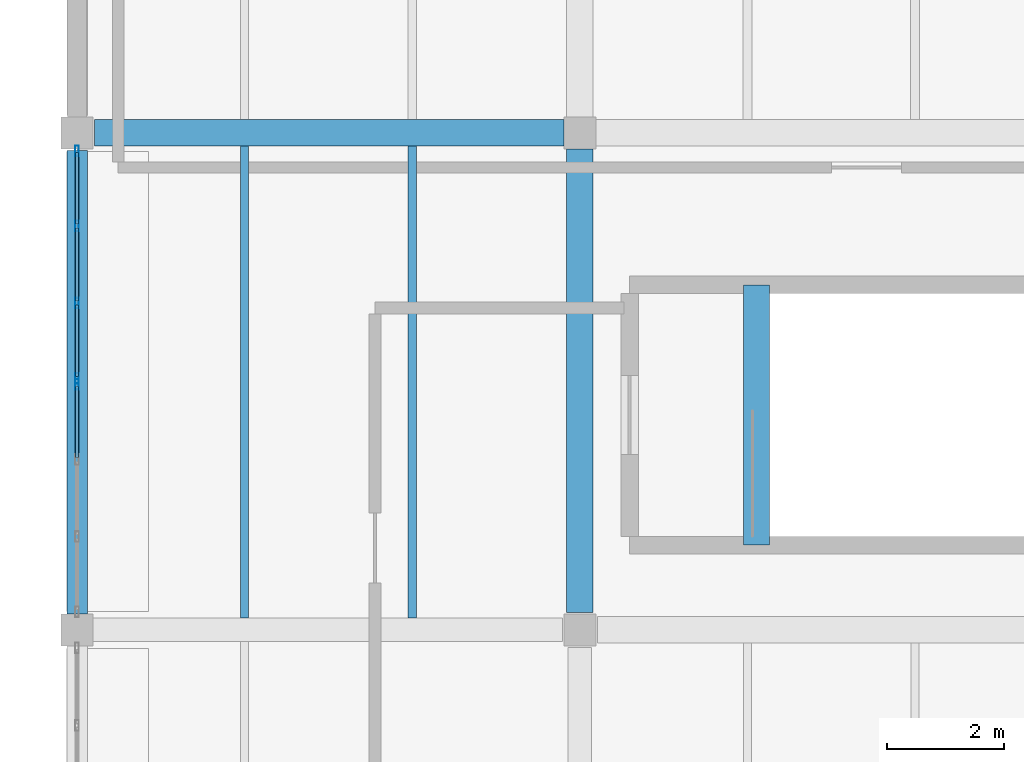
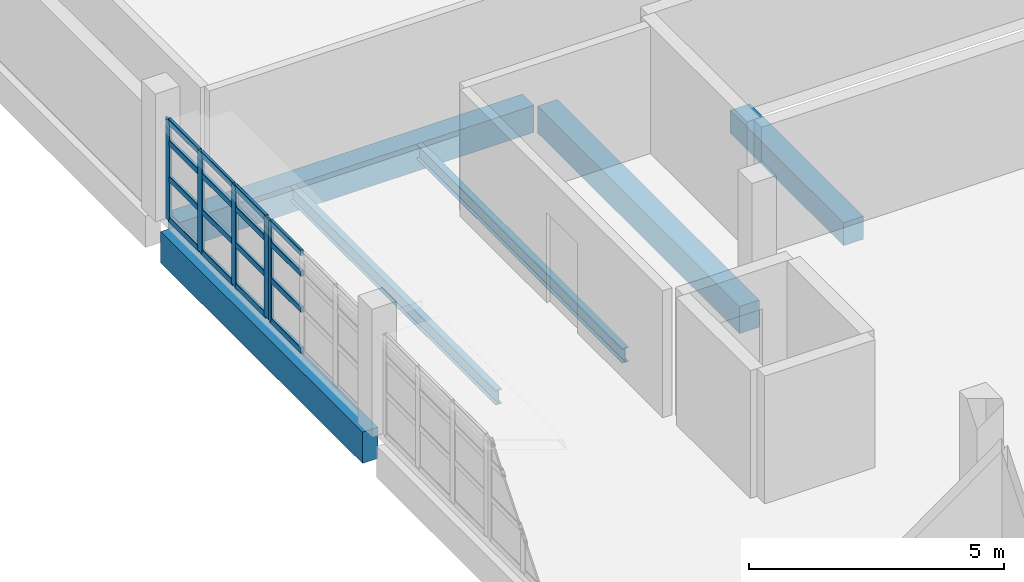
# One storey, part 12 of 34: 21 members, 6 beams, 2 elements without a shape of their own.
"""IFC4 building model written with IfcOpenShell, lengths in metres."""

from ifc_helpers import new_model, si_unit, direction, frame, origin, origin_2d, place, context, subcontext, project, spatial, rectangle, hollow_rectangle, i_section, extrude, material, material_profile, profile_set, type_object, element, aggregate, save


model = new_model("IFC4")

# Units and contexts
model_context = context("Model", 3, precision=1e-05, world=origin(), true_north=direction((0.0, 1.0)))
body_context = subcontext(model_context, "Body", "Model", "MODEL_VIEW")
ifc_project = project(units=[si_unit("LENGTHUNIT", "METRE"), si_unit("AREAUNIT", "SQUARE_METRE"), si_unit("VOLUMEUNIT", "CUBIC_METRE"), si_unit("PLANEANGLEUNIT", "RADIAN"), si_unit("MASSUNIT", "GRAM", prefix="KILO")], contexts=[model_context])

# Site, building, storey
site_placement = place(None, origin())
site = spatial("IfcSite", under=ifc_project, at=site_placement, CompositionType="ELEMENT")
building_placement = place(site_placement, origin())
building = spatial("IfcBuilding", under=site, at=building_placement, Name="Varnakota Cinema and Media Centre", CompositionType="ELEMENT")
storey_placement = place(building_placement, frame((0.0, 0.0, 19.050048828125)))
storey = spatial("IfcBuildingStorey", under=building, at=storey_placement, Name="L05", CompositionType="ELEMENT", Elevation=19.050048828125)

# Beams
ifc_material_1 = material(Name="Concrete M40", Category="concrete")
ifc_material_profile_1 = material_profile(ifc_material_1, rectangle(XDim=0.449951171875, YDim=0.550048828125, at=origin_2d()), Name="RCB 450x550")
ifc_profile_set_1 = profile_set([ifc_material_profile_1], Name="Concrete M40")
beam_type_1 = type_object("IfcBeamType", Name="BM-RC-450x550", PredefinedType="BEAM", material=ifc_profile_set_1)
beam_1_placement = place(storey_placement, frame((11.6201171875, 45.449951171875, -0.275146484375), z_axis=(0.0, 1.0, 0.0), x_axis=(-1.0, 0.0, 0.0)))
element("IfcBeam", 1, at=beam_1_placement, inside=storey, type_object=beam_type_1, Name="L05 ST-03 stair arrival trimmer beam", PredefinedType="BEAM", context=body_context, shape_type="SweptSolid", body=[
    extrude(rectangle(XDim=0.449951171875, YDim=0.550048828125, at=origin_2d()), origin(), (0.0, 0.0, 1.0), 4.449951171875),
])
ifc_material_2 = material(Name="Concrete M35", Category="concrete")
ifc_material_profile_2 = material_profile(ifc_material_2, rectangle(XDim=0.449951171875, YDim=0.64990234375, at=origin_2d()), Name="RCB 450x650")
ifc_profile_set_2 = profile_set([ifc_material_profile_2], Name="Concrete M35")
beam_type_2 = type_object("IfcBeamType", Name="BM-RC-450x650", PredefinedType="BEAM", material=ifc_profile_set_2)
beam_2_placement = place(storey_placement, frame((0.300048828125, 52.5, -0.574951171875), z_axis=(1.0, 0.0, 0.0), x_axis=(0.0, 1.0, 0.0)))
element("IfcBeam", 2, at=beam_2_placement, inside=storey, type_object=beam_type_2, Name="L05 girder A-B/7", PredefinedType="BEAM", context=body_context, shape_type="SweptSolid", body=[
    extrude(rectangle(XDim=0.449951171875, YDim=0.64990234375, at=origin_2d()), origin(), (0.0, 0.0, 1.0), 8.02490234375),
])
beam_3_placement = place(storey_placement, frame((8.60009765625, 44.300048828125, -0.574951171875), z_axis=(0.0, 1.0, 0.0), x_axis=(-1.0, 0.0, 0.0)))
element("IfcBeam", 3, at=beam_3_placement, inside=storey, type_object=beam_type_2, Name="L05 girder B/6-7", PredefinedType="BEAM", context=body_context, shape_type="SweptSolid", body=[
    extrude(rectangle(XDim=0.449951171875, YDim=0.64990234375, at=origin_2d()), origin(), (0.0, 0.0, 1.0), 7.925048828125),
])
ifc_material_3 = material(Name="Concrete M40", Category="concrete")
ifc_material_profile_3 = material_profile(ifc_material_3, rectangle(XDim=0.35009765625, YDim=0.75, at=origin_2d()), Name="RCB 350x750")
ifc_profile_set_3 = profile_set([ifc_material_profile_3], Name="Concrete M40")
beam_type_3 = type_object("IfcBeamType", Name="BM-SP-350x750", PredefinedType="SPANDREL", material=ifc_profile_set_3)
beam_4_placement = place(storey_placement, frame((0.0, 44.27490234375, -0.625), z_axis=(0.0, 1.0, 0.0), x_axis=(-1.0, 0.0, 0.0)))
element("IfcBeam", 4, at=beam_4_placement, inside=storey, type_object=beam_type_3, Name="L05 girder A/6-7", PredefinedType="SPANDREL", context=body_context, shape_type="SweptSolid", body=[
    extrude(rectangle(XDim=0.35009765625, YDim=0.75, at=origin_2d()), origin(), (0.0, 0.0, 1.0), 7.925048828125),
])
ifc_material_4 = material(Name="Structural steel Grade 350 (E350)", Category="steel")
ifc_material_profile_4 = material_profile(ifc_material_4, i_section(OverallWidth=0.139892578125, OverallDepth=0.35009765625, WebThickness=0.008056640625, FlangeThickness=0.01416015625, FilletRadius=0.013916015625, at=origin_2d()), Name="ISMB 350")
ifc_profile_set_4 = profile_set([ifc_material_profile_4], Name="Structural steel Grade 350 (E350)")
beam_type_4 = type_object("IfcBeamType", Name="BM-ST-ISMB350", PredefinedType="JOIST", material=ifc_profile_set_4)
for number, where, z_axis, x_axis, name in (
    (5, (2.86669921875, 44.199951171875, -0.425048828125), (0.0, 1.0, 0.0), (-1.0, 0.0, 0.0), "L05 steel joist A-B/6-7 #1"),
    (6, (5.7333984375, 44.199951171875, -0.425048828125), (0.0, 1.0, 0.0), (-1.0, 0.0, 0.0), "L05 steel joist A-B/6-7 #2"),
):
    element("IfcBeam", number, at=place(storey_placement, frame(where, z_axis=z_axis, x_axis=x_axis)), inside=storey, type_object=beam_type_4, Name=name, PredefinedType="JOIST", context=body_context, shape_type="SweptSolid", body=[
        extrude(i_section(OverallWidth=0.139892578125, OverallDepth=0.35009765625, WebThickness=0.008056640625, FlangeThickness=0.01416015625, FilletRadius=0.013916015625, at=origin_2d()), origin(), (0.0, 0.0, 1.0), 8.074951171875),
    ])

# Curtain wall, members
ifc_material_5 = material(Name="Thermally broken anodised aluminium AW-6063", Category="aluminium")
curtain_wall_type = type_object("IfcCurtainWallType", Name="CW-STD-396x240", PredefinedType="USERDEFINED", material=ifc_material_5)
curtain_wall_1_placement = place(storey_placement, origin())
curtain_wall_1 = element("IfcCurtainWall", 7, at=curtain_wall_1_placement, inside=storey, type_object=curtain_wall_type, Name="L05 curtain wall CW-L05-V5-W-02-1", ObjectType="UNITISED CURTAIN WALL", PredefinedType="USERDEFINED")
ifc_material_6 = material(Name="Thermally broken anodised aluminium AW-6063", Category="aluminium")
ifc_material_profile_5 = material_profile(ifc_material_6, hollow_rectangle(XDim=0.06494140625, YDim=0.179931640625, WallThickness=0.00390625, InnerFilletRadius=0.00390625, OuterFilletRadius=0.008056640625, at=origin_2d()), Name="AL-MULLION 180x65x4")
ifc_profile_set_5 = profile_set([ifc_material_profile_5], Name="Thermally broken anodised aluminium AW-6063")
member_type_1 = type_object("IfcMemberType", Name="CWM-AL-180", PredefinedType="MULLION", material=ifc_profile_set_5)
member_1_placement = place(storey_placement, frame((0.0, 52.1923828125, 0.0), z_axis=(0.0, 0.0, 1.0), x_axis=(1.0, 0.0, 0.0)))
member_1 = element("IfcMember", 8, at=member_1_placement, type_object=member_type_1, Name="CW56 mullion 1", PredefinedType="MULLION", context=body_context, shape_type="SweptSolid", body=[
    extrude(hollow_rectangle(XDim=0.06494140625, YDim=0.179931640625, WallThickness=0.00390625, InnerFilletRadius=0.00390625, OuterFilletRadius=0.008056640625, at=origin_2d()), origin(), (0.0, 0.0, 1.0), 2.39501953125),
])
member_2_placement = place(storey_placement, frame((0.0, 50.90673828125, 0.0), z_axis=(0.0, 0.0, 1.0), x_axis=(1.0, 0.0, 0.0)))
member_2 = element("IfcMember", 9, at=member_2_placement, type_object=member_type_1, Name="CW56 mullion 2", PredefinedType="MULLION", context=body_context, shape_type="SweptSolid", body=[
    extrude(hollow_rectangle(XDim=0.06494140625, YDim=0.179931640625, WallThickness=0.00390625, InnerFilletRadius=0.00390625, OuterFilletRadius=0.008056640625, at=origin_2d()), origin(), (0.0, 0.0, 1.0), 2.39501953125),
])
member_3_placement = place(storey_placement, frame((0.0, 49.58837890625, 0.0), z_axis=(0.0, 0.0, 1.0), x_axis=(1.0, 0.0, 0.0)))
member_3 = element("IfcMember", 10, at=member_3_placement, type_object=member_type_1, Name="CW56 mullion 3", PredefinedType="MULLION", context=body_context, shape_type="SweptSolid", body=[
    extrude(hollow_rectangle(XDim=0.06494140625, YDim=0.179931640625, WallThickness=0.00390625, InnerFilletRadius=0.00390625, OuterFilletRadius=0.008056640625, at=origin_2d()), origin(), (0.0, 0.0, 1.0), 2.39501953125),
])
member_4_placement = place(storey_placement, frame((0.0, 48.302490234375, 0.0), z_axis=(0.0, 0.0, 1.0), x_axis=(1.0, 0.0, 0.0)))
member_4 = element("IfcMember", 11, at=member_4_placement, type_object=member_type_1, Name="CW56 mullion 4", PredefinedType="MULLION", context=body_context, shape_type="SweptSolid", body=[
    extrude(hollow_rectangle(XDim=0.06494140625, YDim=0.179931640625, WallThickness=0.00390625, InnerFilletRadius=0.00390625, OuterFilletRadius=0.008056640625, at=origin_2d()), origin(), (0.0, 0.0, 1.0), 2.39501953125),
])

# Curtain wall, member
curtain_wall_2_placement = place(storey_placement, origin())
curtain_wall_2 = element("IfcCurtainWall", 12, at=curtain_wall_2_placement, inside=storey, type_object=curtain_wall_type, Name="L05 curtain wall CW-L05-V5-W-02-2", ObjectType="UNITISED CURTAIN WALL", PredefinedType="USERDEFINED")
member_5_placement = place(storey_placement, frame((0.0, 48.197509765625, 0.0), z_axis=(0.0, 0.0, 1.0), x_axis=(1.0, 0.0, 0.0)))
member_5 = element("IfcMember", 13, at=member_5_placement, type_object=member_type_1, Name="CW56 mullion 1", PredefinedType="MULLION", context=body_context, shape_type="SweptSolid", body=[
    extrude(hollow_rectangle(XDim=0.06494140625, YDim=0.179931640625, WallThickness=0.00390625, InnerFilletRadius=0.00390625, OuterFilletRadius=0.008056640625, at=origin_2d()), origin(), (0.0, 0.0, 1.0), 2.39501953125),
])

# Member
ifc_material_7 = material(Name="Thermally broken anodised aluminium AW-6063", Category="aluminium")
ifc_material_profile_6 = material_profile(ifc_material_7, hollow_rectangle(XDim=0.06494140625, YDim=0.139892578125, WallThickness=0.00390625, InnerFilletRadius=0.00390625, OuterFilletRadius=0.008056640625, at=origin_2d()), Name="AL-TRANSOM 140x65x4")
ifc_profile_set_6 = profile_set([ifc_material_profile_6], Name="Thermally broken anodised aluminium AW-6063")
member_type_2 = type_object("IfcMemberType", Name="CWT-AL-140", PredefinedType="USERDEFINED", material=ifc_profile_set_6)
member_6_placement = place(storey_placement, frame((0.0, 52.159912109375, 0.032470703125), z_axis=(0.0, -1.0, 0.0), x_axis=(1.0, 0.0, 0.0)))
member_6 = element("IfcMember", 14, at=member_6_placement, type_object=member_type_2, Name="CW56 transom 1.1", ObjectType="TRANSOM", PredefinedType="USERDEFINED", context=body_context, shape_type="SweptSolid", body=[
    extrude(hollow_rectangle(XDim=0.06494140625, YDim=0.139892578125, WallThickness=0.00390625, InnerFilletRadius=0.00390625, OuterFilletRadius=0.008056640625, at=origin_2d()), origin(), (0.0, 0.0, 1.0), 1.220703125),
])

member_7_placement = place(storey_placement, frame((0.0, 52.159912109375, 1.005859375), z_axis=(0.0, -1.0, 0.0), x_axis=(1.0, 0.0, 0.0)))
member_7 = element("IfcMember", 15, at=member_7_placement, type_object=member_type_2, Name="CW56 transom 1.2", ObjectType="TRANSOM", PredefinedType="USERDEFINED", context=body_context, shape_type="SweptSolid", body=[
    extrude(hollow_rectangle(XDim=0.06494140625, YDim=0.139892578125, WallThickness=0.00390625, InnerFilletRadius=0.00390625, OuterFilletRadius=0.008056640625, at=origin_2d()), origin(), (0.0, 0.0, 1.0), 1.220703125),
])

member_8_placement = place(storey_placement, frame((0.0, 52.159912109375, 1.8681640625), z_axis=(0.0, -1.0, 0.0), x_axis=(1.0, 0.0, 0.0)))
member_8 = element("IfcMember", 16, at=member_8_placement, type_object=member_type_2, Name="CW56 transom 1.3", ObjectType="TRANSOM", PredefinedType="USERDEFINED", context=body_context, shape_type="SweptSolid", body=[
    extrude(hollow_rectangle(XDim=0.06494140625, YDim=0.139892578125, WallThickness=0.00390625, InnerFilletRadius=0.00390625, OuterFilletRadius=0.008056640625, at=origin_2d()), origin(), (0.0, 0.0, 1.0), 1.220703125),
])

member_9_placement = place(storey_placement, frame((0.0, 52.159912109375, 2.362548828125), z_axis=(0.0, -1.0, 0.0), x_axis=(1.0, 0.0, 0.0)))
member_9 = element("IfcMember", 17, at=member_9_placement, type_object=member_type_2, Name="CW56 transom 1.4", ObjectType="TRANSOM", PredefinedType="USERDEFINED", context=body_context, shape_type="SweptSolid", body=[
    extrude(hollow_rectangle(XDim=0.06494140625, YDim=0.139892578125, WallThickness=0.00390625, InnerFilletRadius=0.00390625, OuterFilletRadius=0.008056640625, at=origin_2d()), origin(), (0.0, 0.0, 1.0), 1.220703125),
])

member_10_placement = place(storey_placement, frame((0.0, 50.874267578125, 0.032470703125), z_axis=(0.0, -1.0, 0.0), x_axis=(1.0, 0.0, 0.0)))
member_10 = element("IfcMember", 18, at=member_10_placement, type_object=member_type_2, Name="CW56 transom 2.1", ObjectType="TRANSOM", PredefinedType="USERDEFINED", context=body_context, shape_type="SweptSolid", body=[
    extrude(hollow_rectangle(XDim=0.06494140625, YDim=0.139892578125, WallThickness=0.00390625, InnerFilletRadius=0.00390625, OuterFilletRadius=0.008056640625, at=origin_2d()), origin(), (0.0, 0.0, 1.0), 1.25341796875),
])

member_11_placement = place(storey_placement, frame((0.0, 50.874267578125, 1.005859375), z_axis=(0.0, -1.0, 0.0), x_axis=(1.0, 0.0, 0.0)))
member_11 = element("IfcMember", 19, at=member_11_placement, type_object=member_type_2, Name="CW56 transom 2.2", ObjectType="TRANSOM", PredefinedType="USERDEFINED", context=body_context, shape_type="SweptSolid", body=[
    extrude(hollow_rectangle(XDim=0.06494140625, YDim=0.139892578125, WallThickness=0.00390625, InnerFilletRadius=0.00390625, OuterFilletRadius=0.008056640625, at=origin_2d()), origin(), (0.0, 0.0, 1.0), 1.25341796875),
])

member_12_placement = place(storey_placement, frame((0.0, 50.874267578125, 1.8681640625), z_axis=(0.0, -1.0, 0.0), x_axis=(1.0, 0.0, 0.0)))
member_12 = element("IfcMember", 20, at=member_12_placement, type_object=member_type_2, Name="CW56 transom 2.3", ObjectType="TRANSOM", PredefinedType="USERDEFINED", context=body_context, shape_type="SweptSolid", body=[
    extrude(hollow_rectangle(XDim=0.06494140625, YDim=0.139892578125, WallThickness=0.00390625, InnerFilletRadius=0.00390625, OuterFilletRadius=0.008056640625, at=origin_2d()), origin(), (0.0, 0.0, 1.0), 1.25341796875),
])

member_13_placement = place(storey_placement, frame((0.0, 50.874267578125, 2.362548828125), z_axis=(0.0, -1.0, 0.0), x_axis=(1.0, 0.0, 0.0)))
member_13 = element("IfcMember", 21, at=member_13_placement, type_object=member_type_2, Name="CW56 transom 2.4", ObjectType="TRANSOM", PredefinedType="USERDEFINED", context=body_context, shape_type="SweptSolid", body=[
    extrude(hollow_rectangle(XDim=0.06494140625, YDim=0.139892578125, WallThickness=0.00390625, InnerFilletRadius=0.00390625, OuterFilletRadius=0.008056640625, at=origin_2d()), origin(), (0.0, 0.0, 1.0), 1.25341796875),
])

member_14_placement = place(storey_placement, frame((0.0, 49.555908203125, 0.032470703125), z_axis=(0.0, -1.0, 0.0), x_axis=(1.0, 0.0, 0.0)))
member_14 = element("IfcMember", 22, at=member_14_placement, type_object=member_type_2, Name="CW56 transom 3.1", ObjectType="TRANSOM", PredefinedType="USERDEFINED", context=body_context, shape_type="SweptSolid", body=[
    extrude(hollow_rectangle(XDim=0.06494140625, YDim=0.139892578125, WallThickness=0.00390625, InnerFilletRadius=0.00390625, OuterFilletRadius=0.008056640625, at=origin_2d()), origin(), (0.0, 0.0, 1.0), 1.220947265625),
])

member_15_placement = place(storey_placement, frame((0.0, 49.555908203125, 1.005859375), z_axis=(0.0, -1.0, 0.0), x_axis=(1.0, 0.0, 0.0)))
member_15 = element("IfcMember", 23, at=member_15_placement, type_object=member_type_2, Name="CW56 transom 3.2", ObjectType="TRANSOM", PredefinedType="USERDEFINED", context=body_context, shape_type="SweptSolid", body=[
    extrude(hollow_rectangle(XDim=0.06494140625, YDim=0.139892578125, WallThickness=0.00390625, InnerFilletRadius=0.00390625, OuterFilletRadius=0.008056640625, at=origin_2d()), origin(), (0.0, 0.0, 1.0), 1.220947265625),
])

member_16_placement = place(storey_placement, frame((0.0, 49.555908203125, 1.8681640625), z_axis=(0.0, -1.0, 0.0), x_axis=(1.0, 0.0, 0.0)))
member_16 = element("IfcMember", 24, at=member_16_placement, type_object=member_type_2, Name="CW56 transom 3.3", ObjectType="TRANSOM", PredefinedType="USERDEFINED", context=body_context, shape_type="SweptSolid", body=[
    extrude(hollow_rectangle(XDim=0.06494140625, YDim=0.139892578125, WallThickness=0.00390625, InnerFilletRadius=0.00390625, OuterFilletRadius=0.008056640625, at=origin_2d()), origin(), (0.0, 0.0, 1.0), 1.220947265625),
])

member_17_placement = place(storey_placement, frame((0.0, 49.555908203125, 2.362548828125), z_axis=(0.0, -1.0, 0.0), x_axis=(1.0, 0.0, 0.0)))
member_17 = element("IfcMember", 25, at=member_17_placement, type_object=member_type_2, Name="CW56 transom 3.4", ObjectType="TRANSOM", PredefinedType="USERDEFINED", context=body_context, shape_type="SweptSolid", body=[
    extrude(hollow_rectangle(XDim=0.06494140625, YDim=0.139892578125, WallThickness=0.00390625, InnerFilletRadius=0.00390625, OuterFilletRadius=0.008056640625, at=origin_2d()), origin(), (0.0, 0.0, 1.0), 1.220947265625),
])

aggregate(curtain_wall_1, [member_1, member_2, member_3, member_4, member_6, member_7, member_8, member_9, member_10, member_11, member_12, member_13, member_14, member_15, member_16, member_17])

member_18_placement = place(storey_placement, frame((0.0, 48.1650390625, 0.032470703125), z_axis=(0.0, -1.0, 0.0), x_axis=(1.0, 0.0, 0.0)))
member_18 = element("IfcMember", 26, at=member_18_placement, type_object=member_type_2, Name="CW56 transom 1.1", ObjectType="TRANSOM", PredefinedType="USERDEFINED", context=body_context, shape_type="SweptSolid", body=[
    extrude(hollow_rectangle(XDim=0.06494140625, YDim=0.139892578125, WallThickness=0.00390625, InnerFilletRadius=0.00390625, OuterFilletRadius=0.008056640625, at=origin_2d()), origin(), (0.0, 0.0, 1.0), 1.220947265625),
])

member_19_placement = place(storey_placement, frame((0.0, 48.1650390625, 1.005859375), z_axis=(0.0, -1.0, 0.0), x_axis=(1.0, 0.0, 0.0)))
member_19 = element("IfcMember", 27, at=member_19_placement, type_object=member_type_2, Name="CW56 transom 1.2", ObjectType="TRANSOM", PredefinedType="USERDEFINED", context=body_context, shape_type="SweptSolid", body=[
    extrude(hollow_rectangle(XDim=0.06494140625, YDim=0.139892578125, WallThickness=0.00390625, InnerFilletRadius=0.00390625, OuterFilletRadius=0.008056640625, at=origin_2d()), origin(), (0.0, 0.0, 1.0), 1.220947265625),
])

member_20_placement = place(storey_placement, frame((0.0, 48.1650390625, 1.8681640625), z_axis=(0.0, -1.0, 0.0), x_axis=(1.0, 0.0, 0.0)))
member_20 = element("IfcMember", 28, at=member_20_placement, type_object=member_type_2, Name="CW56 transom 1.3", ObjectType="TRANSOM", PredefinedType="USERDEFINED", context=body_context, shape_type="SweptSolid", body=[
    extrude(hollow_rectangle(XDim=0.06494140625, YDim=0.139892578125, WallThickness=0.00390625, InnerFilletRadius=0.00390625, OuterFilletRadius=0.008056640625, at=origin_2d()), origin(), (0.0, 0.0, 1.0), 1.220947265625),
])

member_21_placement = place(storey_placement, frame((0.0, 48.1650390625, 2.362548828125), z_axis=(0.0, -1.0, 0.0), x_axis=(1.0, 0.0, 0.0)))
member_21 = element("IfcMember", 29, at=member_21_placement, type_object=member_type_2, Name="CW56 transom 1.4", ObjectType="TRANSOM", PredefinedType="USERDEFINED", context=body_context, shape_type="SweptSolid", body=[
    extrude(hollow_rectangle(XDim=0.06494140625, YDim=0.139892578125, WallThickness=0.00390625, InnerFilletRadius=0.00390625, OuterFilletRadius=0.008056640625, at=origin_2d()), origin(), (0.0, 0.0, 1.0), 1.220947265625),
])

aggregate(curtain_wall_2, [member_5, member_18, member_19, member_20, member_21])

save(model, "model.ifc")
